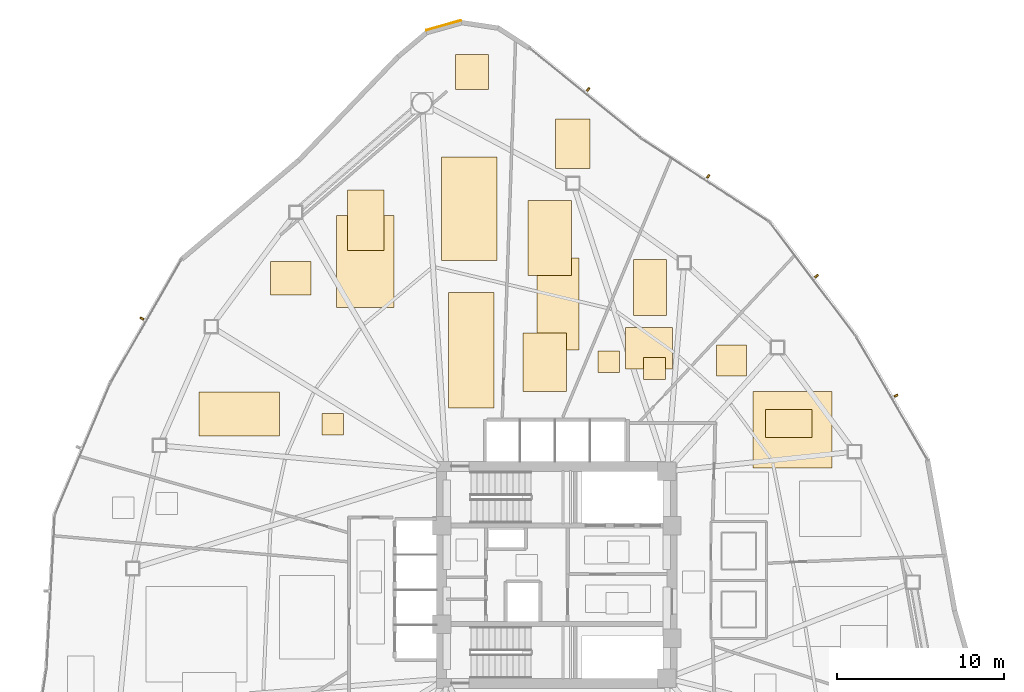
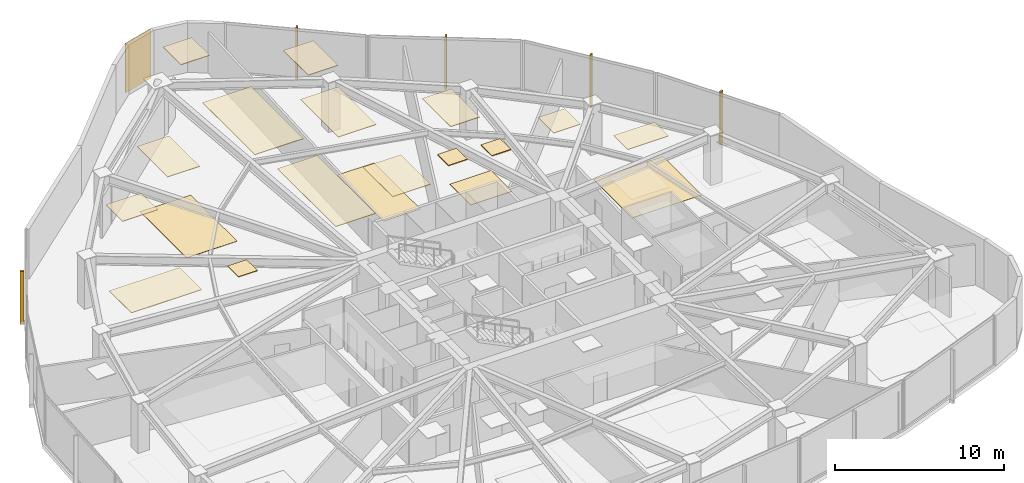
# One storey, part 17 of 17: 20 coverings, 5 shading devices.
"""IFC4 building model written with IfcOpenShell, lengths in metres."""

import ifcopenshell
import ifcopenshell.guid

model = None  # the IFC model being written
_history = None  # IfcOwnerHistory: only IFC2X3 demands one
_inside = {}  # id of a spatial element -> (the spatial element, [elements in it])
_under = {}  # id of a project, library or spatial element -> (it, [spatial elements below it])
_declared = {}  # id of a project -> (the project, [libraries it declares])
_typed = {}  # id of a type object -> (the type object, [elements of that type])
_made_of = {}  # id of a material, layer set ... -> (it, [elements and type objects made of it])


def new_model(schema):
    """Start an empty IFC model of exactly this schema.

    Asked for "IFC4X3", IfcOpenShell would pick the latest addendum, in which some entities
    have other attributes; the version numbers below select the first issue.
    IFC2X3 requires an IfcOwnerHistory on every rooted entity: one is made here for all.
    """
    global model, _history
    if schema == "IFC4X3":
        model = ifcopenshell.file(schema_version=(4, 3, 0, 0))
    else:
        model = ifcopenshell.file(schema=schema)
    _inside.clear()
    _under.clear()
    _declared.clear()
    _typed.clear()
    _made_of.clear()
    _history = None
    if model.schema == "IFC2X3":
        org = make("IfcOrganization", Name="unknown")
        user = make(
            "IfcPersonAndOrganization",
            ThePerson=make("IfcPerson", FamilyName="unknown"),
            TheOrganization=org,
        )
        app = make(
            "IfcApplication",
            ApplicationDeveloper=org,
            Version="unknown",
            ApplicationFullName="unknown",
            ApplicationIdentifier="unknown",
        )
        _history = make(
            "IfcOwnerHistory",
            OwningUser=user,
            OwningApplication=app,
            ChangeAction="ADDED",
            CreationDate=0,
        )
    return model


def make(cls, **values):
    """One entity of the class cls with the attributes given. An attribute that is None is left unset."""
    return model.create_entity(
        cls, **{name: value for name, value in values.items() if value is not None}
    )


def rooted(cls, **values):
    """An entity with a GlobalId (a new one), such as an element, a storey or a relation."""
    return make(cls, GlobalId=ifcopenshell.guid.new(), OwnerHistory=_history, **values)


def si_unit(unit_type, name, prefix=None):
    """IfcSIUnit, for example si_unit("LENGTHUNIT", "METRE", prefix="MILLI")."""
    return make("IfcSIUnit", UnitType=unit_type, Prefix=prefix, Name=name)


def assignment(units):
    """IfcUnitAssignment: the units of a project."""
    return None if units is None else make("IfcUnitAssignment", Units=units)


def point(xyz):
    """IfcCartesianPoint."""
    return None if xyz is None else make("IfcCartesianPoint", Coordinates=xyz)


def direction(xyz):
    """IfcDirection."""
    return None if xyz is None else make("IfcDirection", DirectionRatios=xyz)


def frame(location, z_axis=None, x_axis=None):
    """IfcAxis2Placement3D, a coordinate frame: its origin and axes. An axis left out is left unset."""
    return make(
        "IfcAxis2Placement3D",
        Location=point(location),
        Axis=direction(z_axis),
        RefDirection=direction(x_axis),
    )


def frame_2d(location, x_axis=None):
    """IfcAxis2Placement2D, a coordinate frame in the plane: its origin and x axis."""
    return make(
        "IfcAxis2Placement2D", Location=point(location), RefDirection=direction(x_axis)
    )


def origin():
    """The frame at (0, 0, 0) with its axes left unset."""
    return frame((0.0, 0.0, 0.0))


def origin_2d():
    """The frame at (0, 0) in the plane with its x axis left unset."""
    return frame_2d((0.0, 0.0))


def place(relative_to, where):
    """IfcLocalPlacement: puts the frame where relative to a parent placement (None: the world)."""
    return make(
        "IfcLocalPlacement", PlacementRelTo=relative_to, RelativePlacement=where
    )


def context(
    kind, dimensions, precision=None, world=None, true_north=None, identifier=None
):
    """IfcGeometricRepresentationContext, for example the 3D "Model" context."""
    return make(
        "IfcGeometricRepresentationContext",
        ContextIdentifier=identifier,
        ContextType=kind,
        CoordinateSpaceDimension=dimensions,
        Precision=precision,
        WorldCoordinateSystem=world,
        TrueNorth=true_north,
    )


def subcontext(parent, identifier, kind, view, scale=None):
    """IfcGeometricRepresentationSubContext, for example "Body" below "Model"."""
    return make(
        "IfcGeometricRepresentationSubContext",
        ContextIdentifier=identifier,
        ContextType=kind,
        ParentContext=parent,
        TargetScale=scale,
        TargetView=view,
    )


def project(units=None, contexts=None):
    """IfcProject with its units and contexts."""
    return rooted(
        "IfcProject",
        Name="project",
        RepresentationContexts=contexts,
        UnitsInContext=assignment(units),
    )


def spatial(cls, under=None, at=None, **own):
    """A site, building, storey or space (cls), placed at a placement, below another one or the project."""
    s = rooted(cls, ObjectPlacement=at, **own)
    if under is not None:
        _under.setdefault(under.id(), (under, []))[1].append(s)
    return s


def polyline(points):
    """IfcPolyline through the points."""
    return make("IfcPolyline", Points=[point(p) for p in points])


def profile(cls, at=None, kind="AREA", **sizes):
    """A parametric profile (cls). Its sizes go by their IFC names, for example OverallWidth=200.0."""
    return make(cls, ProfileType=kind, Position=at, **sizes)


def rectangle(**sizes):
    """IfcRectangleProfileDef."""
    return profile("IfcRectangleProfileDef", **sizes)


def outline(outer, holes=None, kind="AREA"):
    """IfcArbitraryClosedProfileDef: a profile drawn as a closed curve; with holes, ...WithVoids."""
    if holes is None:
        return make("IfcArbitraryClosedProfileDef", ProfileType=kind, OuterCurve=outer)
    return make(
        "IfcArbitraryProfileDefWithVoids",
        ProfileType=kind,
        OuterCurve=outer,
        InnerCurves=holes,
    )


def extrude(swept, where, along, depth):
    """IfcExtrudedAreaSolid: the profile swept, set in the frame where, extruded along a direction by depth."""
    return make(
        "IfcExtrudedAreaSolid",
        SweptArea=swept,
        Position=where,
        ExtrudedDirection=direction(along),
        Depth=depth,
    )


def shape(context_of_items, identifier, shape_type, items):
    """IfcShapeRepresentation: the items that make up one representation, for example the "Body"."""
    return make(
        "IfcShapeRepresentation",
        ContextOfItems=context_of_items,
        RepresentationIdentifier=identifier,
        RepresentationType=shape_type,
        Items=items,
    )


def source(mapping_origin, context_of_items, identifier, shape_type, items):
    """IfcRepresentationMap: a shape defined once, which mapped items show again and again."""
    return make(
        "IfcRepresentationMap",
        MappingOrigin=mapping_origin,
        MappedRepresentation=shape(context_of_items, identifier, shape_type, items),
    )


def transform(
    local_origin,
    x_axis=None,
    y_axis=None,
    z_axis=None,
    scale=None,
    scale2=None,
    scale3=None,
    uniform=True,
):
    """IfcCartesianTransformationOperator3D, or its non-uniform kind. x_axis, y_axis, z_axis: its Axis1, 2, 3."""
    if uniform:
        return make(
            "IfcCartesianTransformationOperator3D",
            Axis1=direction(x_axis),
            Axis2=direction(y_axis),
            LocalOrigin=point(local_origin),
            Scale=scale,
            Axis3=direction(z_axis),
        )
    return make(
        "IfcCartesianTransformationOperator3DnonUniform",
        Axis1=direction(x_axis),
        Axis2=direction(y_axis),
        LocalOrigin=point(local_origin),
        Scale=scale,
        Axis3=direction(z_axis),
        Scale2=scale2,
        Scale3=scale3,
    )


def mapped(mapping_source, mapping_target):
    """IfcMappedItem: shows the shape of a source again, moved by a transform."""
    return make(
        "IfcMappedItem", MappingSource=mapping_source, MappingTarget=mapping_target
    )


def material(Name=None, Category=None):
    """IfcMaterial."""
    return make("IfcMaterial", Name=Name, Category=Category)


def layer(
    of_material, thickness, ventilated=None, Name=None, Category=None, Priority=None
):
    """IfcMaterialLayer: one layer of a wall or slab, of a material (None: an air gap)."""
    return make(
        "IfcMaterialLayer",
        Material=of_material,
        LayerThickness=thickness,
        IsVentilated=ventilated,
        Name=Name,
        Category=Category,
        Priority=Priority,
    )


def layer_set(layers, Name=None):
    """IfcMaterialLayerSet."""
    return make("IfcMaterialLayerSet", MaterialLayers=layers, LayerSetName=Name)


def made_of(thing, what):
    """Note that an element or type object is made of a material, layer set ...; save() writes the relation."""
    if what is not None:
        _made_of.setdefault(what.id(), (what, []))[1].append(thing)
    return thing


def type_object(cls, material=None, **own):
    """A type object (cls), such as IfcWallType, which elements share."""
    return made_of(rooted(cls, **own), material)


def type_shapes(of_type, sources):
    """Give a type object the sources (RepresentationMaps) that its elements show as mapped items."""
    of_type.RepresentationMaps = sources


def element(
    cls,
    number,
    at=None,
    inside=None,
    cuts=None,
    type_object=None,
    material=None,
    context=None,
    identifier="Body",
    shape_type=None,
    held_by="IfcProductDefinitionShape",
    body=None,
    shapes=None,
    **own,
):
    """One element of the class cls, such as IfcWall. Its Tag is "e" and its number.

    at: its placement. inside: the storey or other place that contains it. cuts: it is an
    opening in that element (IfcRelVoidsElement). A single representation is given by context,
    identifier, shape_type and body (its items); several are given by shapes. held_by: the class
    of the entity that holds the representations. save() writes the other relations.
    """
    e = rooted(cls, Tag="e%d" % number, ObjectPlacement=at, **own)
    if body is not None:
        shapes = [shape(context, identifier, shape_type, body)]
    if shapes is not None:
        e.Representation = make(held_by, Representations=shapes)
    if inside is not None:
        _inside.setdefault(inside.id(), (inside, []))[1].append(e)
    if cuts is not None:
        rooted(
            "IfcRelVoidsElement", RelatingBuildingElement=cuts, RelatedOpeningElement=e
        )
    if type_object is not None:
        _typed.setdefault(type_object.id(), (type_object, []))[1].append(e)
    return made_of(e, material)


def aggregate(whole, parts):
    """IfcRelAggregates: a whole, such as a stair, and the parts it consists of."""
    return rooted("IfcRelAggregates", RelatingObject=whole, RelatedObjects=parts)


def save(model, path):
    """Write the relations noted so far, then the file.

    IfcRelAggregates (storeys below a building ...), IfcRelContainedInSpatialStructure (elements
    in a storey), IfcRelDefinesByType, IfcRelAssociatesMaterial and IfcRelDeclares: one each for
    every whole, place, type object, material and project.
    """
    for whole, parts in _under.values():
        aggregate(whole, parts)
    for where, things in _inside.values():
        rooted(
            "IfcRelContainedInSpatialStructure",
            RelatedElements=things,
            RelatingStructure=where,
        )
    for kind, things in _typed.values():
        rooted("IfcRelDefinesByType", RelatedObjects=things, RelatingType=kind)
    for what, things in _made_of.values():
        rooted("IfcRelAssociatesMaterial", RelatedObjects=things, RelatingMaterial=what)
    for by, libraries in _declared.values():
        rooted("IfcRelDeclares", RelatingContext=by, RelatedDefinitions=libraries)
    model.write(path)


model = new_model("IFC4")

# Units and contexts
model_context = context("Model", 3, precision=1e-05, world=origin(), true_north=direction((0.0, 1.0)))
body_context = subcontext(model_context, "Body", "Model", "MODEL_VIEW")
ifc_project = project(units=[si_unit("LENGTHUNIT", "METRE"), si_unit("AREAUNIT", "SQUARE_METRE"), si_unit("VOLUMEUNIT", "CUBIC_METRE"), si_unit("PLANEANGLEUNIT", "RADIAN"), si_unit("MASSUNIT", "GRAM", prefix="KILO")], contexts=[model_context])

# Site, building, storey
site_placement = place(None, origin())
site = spatial("IfcSite", under=ifc_project, at=site_placement, CompositionType="ELEMENT")
building_placement = place(site_placement, origin())
building = spatial("IfcBuilding", under=site, at=building_placement, Name="Tavelor Broadcast Tower", CompositionType="ELEMENT")
storey_placement = place(building_placement, frame((0.0, 0.0, 39.300048828125)))
storey = spatial("IfcBuildingStorey", under=building, at=storey_placement, Name="L08", CompositionType="ELEMENT", Elevation=39.300048828125)

# Coverings
ifc_material_1 = material(Name="Copper-Bronze Anodized Aluminium", Category="aluminium")
ifc_layer_1 = layer(ifc_material_1, 0.050048828125)
ifc_layer_set_1 = layer_set([ifc_layer_1], Name="Copper-Bronze Anodized Aluminium")
covering_type_1 = type_object("IfcCoveringType", Name="Champagne-Bronze Corner Pier Metal Cladding 50 mm", PredefinedType="CLADDING", material=ifc_layer_set_1)
covering_1_placement = place(storey_placement, frame((43.221435546875, 77.9306640625, 0.02001953125), z_axis=(0.0, 0.0, 1.0), x_axis=(-0.962455236454, -0.271440449865, 0.0)))
element("IfcCovering", 1, at=covering_1_placement, inside=storey, type_object=covering_type_1, Name="L08 Champagne-Bronze Corner Cladding 03", PredefinedType="CLADDING", context=body_context, shape_type="SweptSolid", body=[
    extrude(rectangle(XDim=2.15966796875, YDim=0.050048828125, at=origin_2d()), origin(), (0.0, 0.0, 1.0), 3.56005859375),
])
ifc_material_2 = material(Name="Acoustic Nylon Carpet Tile")
ifc_layer_2 = layer(ifc_material_2, 0.02001953125)
ifc_layer_set_2 = layer_set([ifc_layer_2], Name="Acoustic Nylon Carpet Tile")
covering_type_2 = type_object("IfcCoveringType", Name="Heavy-Duty Acoustic Broadcast Carpet Tile 20 mm", PredefinedType="FLOORING", material=ifc_layer_set_2)
covering_2_placement = place(storey_placement, origin())
element("IfcCovering", 2, at=covering_2_placement, inside=storey, type_object=covering_type_2, Name="L08 Broadcast Floor Finish 0094", PredefinedType="FLOORING", context=body_context, shape_type="SweptSolid", body=[
    extrude(outline(polyline([(36.796875, 61.031982421875), (40.260009765625, 61.031982421875), (40.260009765625, 66.54541015625), (36.796875, 66.54541015625), (36.796875, 61.031982421875)])), origin(), (0.0, 0.0, 1.0), 0.02001953125),
])
covering_3_placement = place(storey_placement, origin())
element("IfcCovering", 3, at=covering_3_placement, inside=storey, type_object=covering_type_2, Name="L08 Broadcast Floor Finish 0095", PredefinedType="FLOORING", context=body_context, shape_type="SweptSolid", body=[
    extrude(outline(polyline([(48.805908203125, 58.47509765625), (51.336669921875, 58.47509765625), (51.336669921875, 63.9833984375), (48.805908203125, 63.9833984375), (48.805908203125, 58.47509765625)])), origin(), (0.0, 0.0, 1.0), 0.02001953125),
])
covering_4_placement = place(storey_placement, origin())
element("IfcCovering", 4, at=covering_4_placement, inside=storey, type_object=covering_type_2, Name="L08 Broadcast Floor Finish 0097", PredefinedType="FLOORING", context=body_context, shape_type="SweptSolid", body=[
    extrude(outline(polyline([(61.74853515625, 51.390380859375), (66.505126953125, 51.390380859375), (66.505126953125, 55.987060546875), (61.74853515625, 55.987060546875), (61.74853515625, 51.390380859375)])), origin(), (0.0, 0.0, 1.0), 0.02001953125),
])
ifc_material_3 = material(Name="Acoustic Hardwood Studio Flooring", Category="wood")
ifc_layer_3 = layer(ifc_material_3, 0.034912109375)
ifc_layer_set_3 = layer_set([ifc_layer_3], Name="Acoustic Hardwood Studio Flooring")
covering_type_3 = type_object("IfcCoveringType", Name="Isolated Studio Acoustic Elastomeric Floor Finish 35 mm", PredefinedType="FLOORING", material=ifc_layer_set_3)
covering_5_placement = place(storey_placement, origin())
element("IfcCovering", 5, at=covering_5_placement, inside=storey, type_object=covering_type_3, Name="L08 Broadcast Floor Finish 0096", PredefinedType="FLOORING", context=body_context, shape_type="SweptSolid", body=[
    extrude(outline(polyline([(54.106201171875, 57.32958984375), (56.9453125, 57.32958984375), (56.9453125, 59.8173828125), (54.106201171875, 59.8173828125), (54.106201171875, 57.32958984375)])), origin(), (0.0, 0.0, 1.0), 0.034912109375),
])
ifc_material_4 = material(Name="Acoustic Perforated Timber Baffle", Category="wood")
ifc_layer_4 = layer(ifc_material_4, 0.054931640625)
ifc_layer_set_4 = layer_set([ifc_layer_4], Name="Acoustic Perforated Timber Baffle")
covering_type_4 = type_object("IfcCoveringType", Name="Micro-Perforated Acoustic Baffle Studio Ceiling 55 mm", PredefinedType="CEILING", material=ifc_layer_set_4)
covering_6_placement = place(storey_placement, frame((0.0, 0.0, 3.544921875)))
element("IfcCovering", 6, at=covering_6_placement, inside=storey, type_object=covering_type_4, Name="L08 Suspended Acoustic Ceiling 0283", PredefinedType="CEILING", context=body_context, shape_type="SweptSolid", body=[
    extrude(outline(polyline([(52.469482421875, 57.12646484375), (53.76953125, 57.12646484375), (53.76953125, 58.426513671875), (52.469482421875, 58.426513671875), (52.469482421875, 57.12646484375)])), origin(), (0.0, 0.0, 1.0), 0.054931640625),
])
covering_7_placement = place(storey_placement, frame((0.0, 0.0, 3.544921875)))
element("IfcCovering", 7, at=covering_7_placement, inside=storey, type_object=covering_type_4, Name="L08 Suspended Acoustic Ceiling 0284", PredefinedType="CEILING", context=body_context, shape_type="SweptSolid", body=[
    extrude(outline(polyline([(54.5849609375, 60.54248046875), (56.587646484375, 60.54248046875), (56.587646484375, 63.90869140625), (54.5849609375, 63.90869140625), (54.5849609375, 60.54248046875)])), origin(), (0.0, 0.0, 1.0), 0.054931640625),
])
covering_8_placement = place(storey_placement, frame((0.0, 0.0, 3.544921875)))
element("IfcCovering", 8, at=covering_8_placement, inside=storey, type_object=covering_type_4, Name="L08 Suspended Acoustic Ceiling 0285", PredefinedType="CEILING", context=body_context, shape_type="SweptSolid", body=[
    extrude(outline(polyline([(55.204345703125, 56.711181640625), (56.50439453125, 56.711181640625), (56.50439453125, 58.01123046875), (55.204345703125, 58.01123046875), (55.204345703125, 56.711181640625)])), origin(), (0.0, 0.0, 1.0), 0.054931640625),
])
ifc_material_5 = material(Name="Acoustic Mineral Fibre Tile")
ifc_layer_5 = layer(ifc_material_5, 0.0400390625)
ifc_layer_set_5 = layer_set([ifc_layer_5], Name="Acoustic Mineral Fibre Tile")
covering_type_5 = type_object("IfcCoveringType", Name="Suspended Acoustic Mineral-Fibre Office Ceiling 40 mm", PredefinedType="CEILING", material=ifc_layer_set_5)
covering_9_placement = place(storey_placement, frame((0.0, 0.0, 3.56005859375)))
element("IfcCovering", 9, at=covering_9_placement, inside=storey, type_object=covering_type_5, Name="L08 Suspended Acoustic Ceiling 0273", PredefinedType="CEILING", context=body_context, shape_type="SweptSolid", body=[
    extrude(outline(polyline([(32.84033203125, 61.7822265625), (35.2724609375, 61.7822265625), (35.2724609375, 63.76416015625), (32.84033203125, 63.76416015625), (32.84033203125, 61.7822265625)])), origin(), (0.0, 0.0, 1.0), 0.039794921875),
])
covering_10_placement = place(storey_placement, frame((0.0, 0.0, 3.56005859375)))
element("IfcCovering", 10, at=covering_10_placement, inside=storey, type_object=covering_type_5, Name="L08 Suspended Acoustic Ceiling 0274", PredefinedType="CEILING", context=body_context, shape_type="SweptSolid", body=[
    extrude(outline(polyline([(37.46337890625, 64.42236328125), (39.65283203125, 64.42236328125), (39.65283203125, 68.059814453125), (37.46337890625, 68.059814453125), (37.46337890625, 64.42236328125)])), origin(), (0.0, 0.0, 1.0), 0.039794921875),
])
covering_11_placement = place(storey_placement, frame((0.0, 0.0, 3.56005859375)))
element("IfcCovering", 11, at=covering_11_placement, inside=storey, type_object=covering_type_5, Name="L08 Suspended Acoustic Ceiling 0275", PredefinedType="CEILING", context=body_context, shape_type="SweptSolid", body=[
    extrude(outline(polyline([(43.0849609375, 63.827392578125), (46.40966796875, 63.827392578125), (46.40966796875, 70.0439453125), (43.0849609375, 70.0439453125), (43.0849609375, 63.827392578125)])), origin(), (0.0, 0.0, 1.0), 0.039794921875),
])
covering_12_placement = place(storey_placement, frame((0.0, 0.0, 3.56005859375)))
element("IfcCovering", 12, at=covering_12_placement, inside=storey, type_object=covering_type_5, Name="L08 Suspended Acoustic Ceiling 0276", PredefinedType="CEILING", context=body_context, shape_type="SweptSolid", body=[
    extrude(outline(polyline([(43.932861328125, 74.07470703125), (45.905517578125, 74.07470703125), (45.905517578125, 76.192138671875), (43.932861328125, 76.192138671875), (43.932861328125, 74.07470703125)])), origin(), (0.0, 0.0, 1.0), 0.039794921875),
])
covering_13_placement = place(storey_placement, frame((0.0, 0.0, 3.56005859375)))
element("IfcCovering", 13, at=covering_13_placement, inside=storey, type_object=covering_type_5, Name="L08 Suspended Acoustic Ceiling 0277", PredefinedType="CEILING", context=body_context, shape_type="SweptSolid", body=[
    extrude(outline(polyline([(43.518798828125, 54.9951171875), (46.243896484375, 54.9951171875), (46.243896484375, 61.909912109375), (43.518798828125, 61.909912109375), (43.518798828125, 54.9951171875)])), origin(), (0.0, 0.0, 1.0), 0.039794921875),
])
covering_14_placement = place(storey_placement, frame((0.0, 0.0, 3.56005859375)))
element("IfcCovering", 14, at=covering_14_placement, inside=storey, type_object=covering_type_5, Name="L08 Suspended Acoustic Ceiling 0278", PredefinedType="CEILING", context=body_context, shape_type="SweptSolid", body=[
    extrude(outline(polyline([(28.5634765625, 53.326416015625), (33.379150390625, 53.326416015625), (33.379150390625, 55.96142578125), (28.5634765625, 55.96142578125), (28.5634765625, 53.326416015625)])), origin(), (0.0, 0.0, 1.0), 0.039794921875),
])
covering_15_placement = place(storey_placement, frame((0.0, 0.0, 3.56005859375)))
element("IfcCovering", 15, at=covering_15_placement, inside=storey, type_object=covering_type_5, Name="L08 Suspended Acoustic Ceiling 0279", PredefinedType="CEILING", context=body_context, shape_type="SweptSolid", body=[
    extrude(outline(polyline([(35.9296875, 53.377197265625), (37.229736328125, 53.377197265625), (37.229736328125, 54.677001953125), (35.9296875, 54.677001953125), (35.9296875, 53.377197265625)])), origin(), (0.0, 0.0, 1.0), 0.039794921875),
])
covering_16_placement = place(storey_placement, frame((0.0, 0.0, 3.56005859375)))
element("IfcCovering", 16, at=covering_16_placement, inside=storey, type_object=covering_type_5, Name="L08 Suspended Acoustic Ceiling 0280", PredefinedType="CEILING", context=body_context, shape_type="SweptSolid", body=[
    extrude(outline(polyline([(47.990478515625, 55.9765625), (50.57373046875, 55.9765625), (50.57373046875, 59.50048828125), (47.990478515625, 59.50048828125), (47.990478515625, 55.9765625)])), origin(), (0.0, 0.0, 1.0), 0.039794921875),
])
covering_17_placement = place(storey_placement, frame((0.0, 0.0, 3.56005859375)))
element("IfcCovering", 17, at=covering_17_placement, inside=storey, type_object=covering_type_5, Name="L08 Suspended Acoustic Ceiling 0281", PredefinedType="CEILING", context=body_context, shape_type="SweptSolid", body=[
    extrude(outline(polyline([(48.278564453125, 62.93505859375), (50.883544921875, 62.93505859375), (50.883544921875, 67.439453125), (48.278564453125, 67.439453125), (48.278564453125, 62.93505859375)])), origin(), (0.0, 0.0, 1.0), 0.039794921875),
])
covering_18_placement = place(storey_placement, frame((0.0, 0.0, 3.56005859375)))
element("IfcCovering", 18, at=covering_18_placement, inside=storey, type_object=covering_type_5, Name="L08 Suspended Acoustic Ceiling 0282", PredefinedType="CEILING", context=body_context, shape_type="SweptSolid", body=[
    extrude(outline(polyline([(49.931884765625, 69.361572265625), (51.983642578125, 69.361572265625), (51.983642578125, 72.31884765625), (49.931884765625, 72.31884765625), (49.931884765625, 69.361572265625)])), origin(), (0.0, 0.0, 1.0), 0.039794921875),
])
covering_19_placement = place(storey_placement, frame((0.0, 0.0, 3.56005859375)))
element("IfcCovering", 19, at=covering_19_placement, inside=storey, type_object=covering_type_5, Name="L08 Suspended Acoustic Ceiling 0286", PredefinedType="CEILING", context=body_context, shape_type="SweptSolid", body=[
    extrude(outline(polyline([(59.562255859375, 56.906982421875), (61.372314453125, 56.906982421875), (61.372314453125, 58.76611328125), (59.562255859375, 58.76611328125), (59.562255859375, 56.906982421875)])), origin(), (0.0, 0.0, 1.0), 0.039794921875),
])
covering_20_placement = place(storey_placement, frame((0.0, 0.0, 3.56005859375)))
element("IfcCovering", 20, at=covering_20_placement, inside=storey, type_object=covering_type_5, Name="L08 Suspended Acoustic Ceiling 0289", PredefinedType="CEILING", context=body_context, shape_type="SweptSolid", body=[
    extrude(outline(polyline([(62.492431640625, 53.234375), (65.3046875, 53.234375), (65.3046875, 54.909423828125), (62.492431640625, 54.909423828125), (62.492431640625, 53.234375)])), origin(), (0.0, 0.0, 1.0), 0.039794921875),
])

# Shading devices
ifc_material_6 = material(Name="Kiln-Fired Glazed Terracotta", Category="masonry")
shading_device_type = type_object("IfcShadingDeviceType", Name="Extruded Terracotta Baguette Sun-Screen 110x240", PredefinedType="JALOUSIE", material=ifc_material_6)
shared_shape = source(origin(), body_context, "Body", "SweptSolid", [
    extrude(rectangle(XDim=0.110107421875, YDim=0.239990234375, at=origin_2d()), origin(), (0.0, 0.0, 1.0), 3.840087890625),
])
type_shapes(shading_device_type, [shared_shape])
for number, where, z_axis, x_axis, name in (
    (21, (25.135986328125, 60.35888671875, -0.26025390625), (0.0, 0.0, 1.0), (-0.498185105339, -0.867070701164, 0.0), "L08 Terracotta Baguette Fin 49"),
    (22, (70.3330078125, 55.735595703125, -0.26025390625), (0.0, 0.0, 1.0), (-0.501812701416, 0.864976307593, 0.0), "L08 Terracotta Baguette Fin 57"),
    (23, (65.5712890625, 62.90283203125, -0.26025390625), (0.0, 0.0, 1.0), (-0.602929541689, 0.797794439539, 0.0), "L08 Terracotta Baguette Fin 58"),
    (24, (59.07470703125, 68.883056640625, -0.26025390625), (0.0, 0.0, 1.0), (-0.838480401967, 0.544931753083, 0.0), "L08 Terracotta Baguette Fin 59"),
    (25, (51.8837890625, 74.092041015625, -0.26025390625), (0.0, 0.0, 1.0), (-0.776926239858, 0.62959162782, 0.0), "L08 Terracotta Baguette Fin 60"),
):
    element("IfcShadingDevice", number, at=place(storey_placement, frame(where, z_axis=z_axis, x_axis=x_axis)), inside=storey, type_object=shading_device_type, Name=name, PredefinedType="JALOUSIE", context=body_context, shape_type="MappedRepresentation", body=[
        mapped(shared_shape, transform((0.0, 0.0, 0.0), scale=1.0)),
    ])

save(model, "model.ifc")
